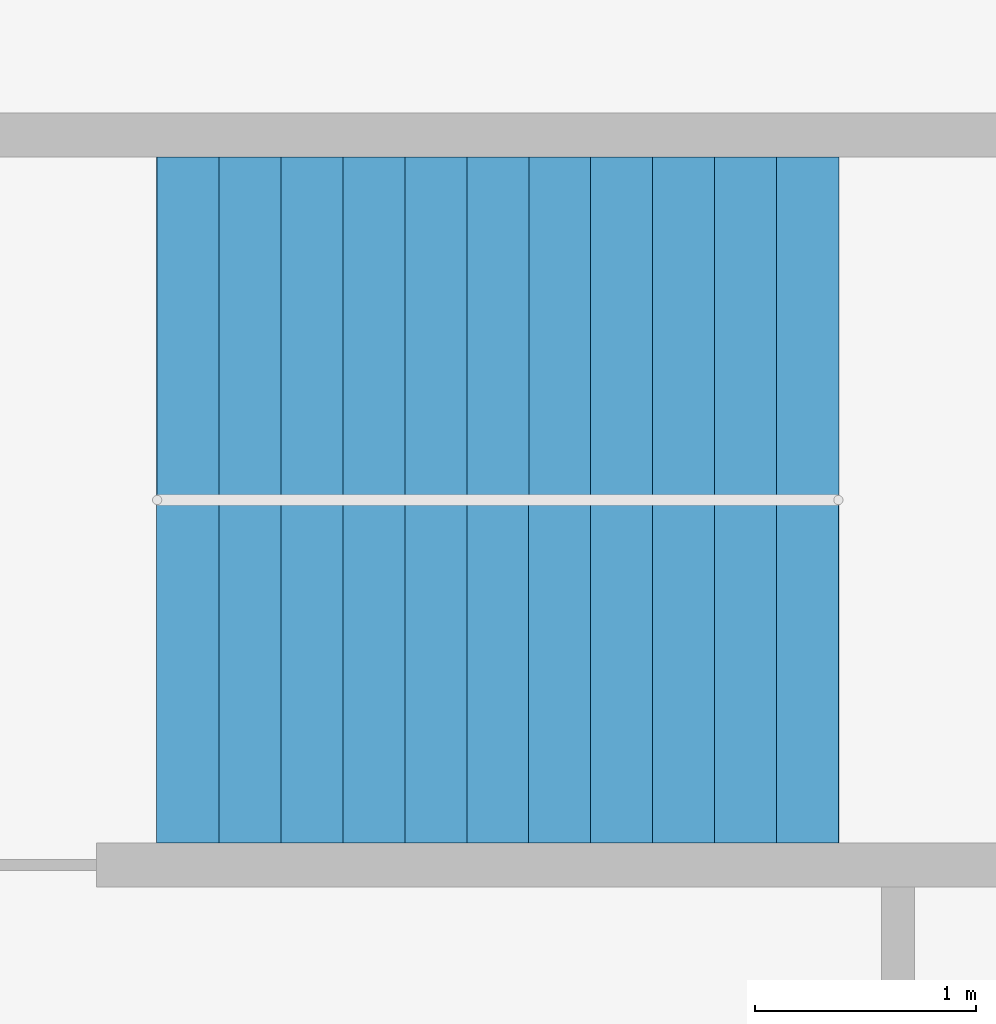
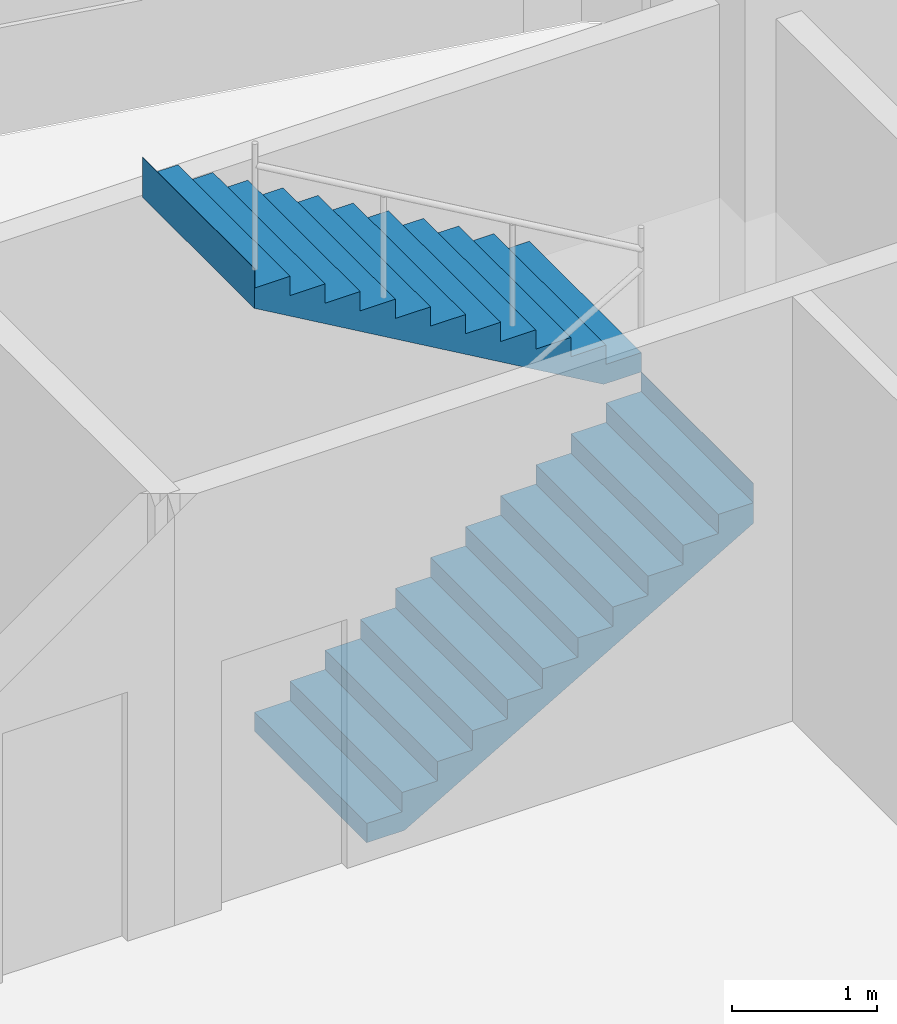
# One storey, part 8 of 10: 2 stair flights, 1 element without a shape of its own.
"""IFC4 building model written with IfcOpenShell, lengths in metres."""

from ifc_helpers import new_model, si_unit, direction, frame, origin, place, context, subcontext, project, spatial, polyline, outline, extrude, material, type_object, element, aggregate, save


model = new_model("IFC4")

# Units and contexts
model_context = context("Model", 3, precision=1e-05, world=origin(), true_north=direction((0.0, 1.0)))
body_context = subcontext(model_context, "Body", "Model", "MODEL_VIEW")
ifc_project = project(units=[si_unit("LENGTHUNIT", "METRE"), si_unit("AREAUNIT", "SQUARE_METRE"), si_unit("VOLUMEUNIT", "CUBIC_METRE"), si_unit("PLANEANGLEUNIT", "RADIAN"), si_unit("MASSUNIT", "GRAM", prefix="KILO")], contexts=[model_context])

# Site, building, storey
site_placement = place(None, origin())
site = spatial("IfcSite", under=ifc_project, at=site_placement, CompositionType="ELEMENT")
building_placement = place(site_placement, origin())
building = spatial("IfcBuilding", under=site, at=building_placement, Name="Qaws Garden Tower", CompositionType="ELEMENT")
storey_placement = place(building_placement, frame((0.0, 0.0, 186.300048828125)))
storey = spatial("IfcBuildingStorey", under=building, at=storey_placement, Name="L45", CompositionType="ELEMENT", Elevation=186.300048828125)

# Stair, stair flights
ifc_material_1 = material(Name="Concrete C40", Category="concrete")
stair_type = type_object("IfcStairType", Name="Exit stair 1350", PredefinedType="HALF_TURN_STAIR", material=ifc_material_1)
stair_placement = place(storey_placement, origin())
stair = element("IfcStair", 1, at=stair_placement, inside=storey, type_object=stair_type, Name="Stair 7", PredefinedType="HALF_TURN_STAIR")
ifc_material_2 = material(Name="Concrete C40", Category="concrete")
stair_flight_type = type_object("IfcStairFlightType", Name="Stair flight 1350", PredefinedType="STRAIGHT", material=ifc_material_2)
stair_flight_1_placement = place(storey_placement, frame((14.75, 67.375, 0.0), z_axis=(0.0, 0.0, 1.0), x_axis=(1.0, 0.0, 0.0)))
stair_flight_1 = element("IfcStairFlight", 2, at=stair_flight_1_placement, type_object=stair_flight_type, Name="ST7 flight 1", NumberOfRisers=12, NumberOfTreads=11, PredefinedType="STRAIGHT", RiserHeight=0.1625, TreadLength=0.28, context=body_context, shape_type="SweptSolid", body=[
    extrude(outline(polyline([(-0.0029296875, 0.0), (-0.0029296875, 0.16259765625), (0.0, 0.16259765625), (0.280029296875, 0.16259765625), (0.280029296875, 0.324951171875), (0.56005859375, 0.324951171875), (0.56005859375, 0.487548828125), (0.840087890625, 0.487548828125), (0.840087890625, 0.64990234375), (1.1201171875, 0.64990234375), (1.1201171875, 0.8125), (1.39990234375, 0.8125), (1.39990234375, 0.97509765625), (1.679931640625, 0.97509765625), (1.679931640625, 1.137451171875), (1.9599609375, 1.137451171875), (1.9599609375, 1.300048828125), (2.239990234375, 1.300048828125), (2.239990234375, 1.46240234375), (2.52001953125, 1.46240234375), (2.52001953125, 1.625), (2.800048828125, 1.625), (2.800048828125, 1.78759765625), (3.080078125, 1.78759765625), (3.080078125, 1.949951171875), (3.0830078125, 1.949951171875), (3.0830078125, 1.6142578125), (3.080078125, 1.6142578125), (0.298583984375, 0.0), (-0.0029296875, 0.0)])), frame((0.0, 0.77490234375, 0.0), z_axis=(0.0, -1.0, 0.0), x_axis=(1.0, 0.0, 0.0)), (0.0, 0.0, 1.0), 1.550048828125),
])
stair_flight_2_placement = place(storey_placement, frame((17.830078125, 68.925048828125, 1.949951171875), z_axis=(0.0, 0.0, 1.0), x_axis=(-1.0, 0.0, 0.0)))
stair_flight_2 = element("IfcStairFlight", 3, at=stair_flight_2_placement, type_object=stair_flight_type, Name="ST7 flight 2", NumberOfRisers=12, NumberOfTreads=11, PredefinedType="STRAIGHT", RiserHeight=0.1625, TreadLength=0.28, context=body_context, shape_type="SweptSolid", body=[
    extrude(outline(polyline([(-0.0029296875, 0.0), (-0.0029296875, 0.16259765625), (0.0, 0.16259765625), (0.280029296875, 0.16259765625), (0.280029296875, 0.324951171875), (0.56005859375, 0.324951171875), (0.56005859375, 0.487548828125), (0.840087890625, 0.487548828125), (0.840087890625, 0.64990234375), (1.1201171875, 0.64990234375), (1.1201171875, 0.8125), (1.39990234375, 0.8125), (1.39990234375, 0.97509765625), (1.679931640625, 0.97509765625), (1.679931640625, 1.137451171875), (1.9599609375, 1.137451171875), (1.9599609375, 1.300048828125), (2.239990234375, 1.300048828125), (2.239990234375, 1.46240234375), (2.52001953125, 1.46240234375), (2.52001953125, 1.625), (2.800048828125, 1.625), (2.800048828125, 1.78759765625), (3.080078125, 1.78759765625), (3.080078125, 1.949951171875), (3.0830078125, 1.949951171875), (3.0830078125, 1.6142578125), (3.080078125, 1.6142578125), (0.298583984375, 0.0), (-0.0029296875, 0.0)])), frame((0.0, 0.77490234375, 0.0), z_axis=(0.0, -1.0, 0.0), x_axis=(1.0, 0.0, 0.0)), (0.0, 0.0, 1.0), 1.550048828125),
])
aggregate(stair, [stair_flight_1, stair_flight_2])

save(model, "model.ifc")
